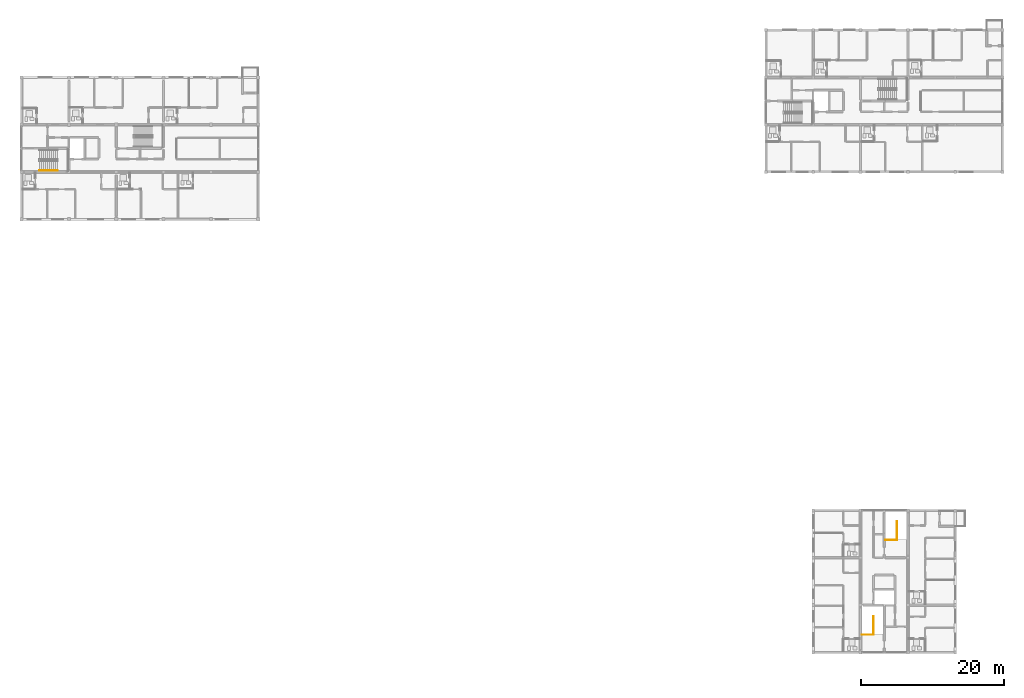
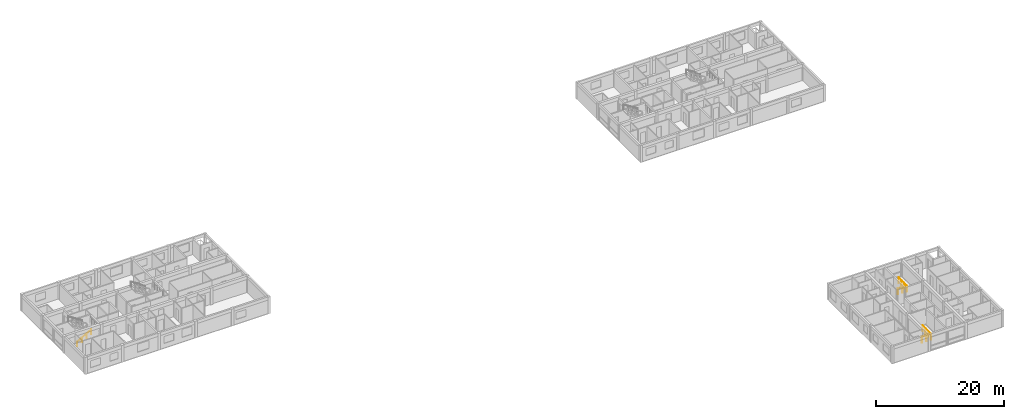
# One storey, part 30 of 34: 3 railings.
"""IFC4 building model written with IfcOpenShell, lengths in metres."""

from ifc_helpers import new_model, si_unit, direction, frame, origin, origin_2d, place, context, subcontext, project, spatial, circle, extrude, material, type_object, element, save


model = new_model("IFC4")

# Units and contexts
model_context = context("Model", 3, precision=1e-05, world=origin(), true_north=direction((0.0, 1.0)))
body_context = subcontext(model_context, "Body", "Model", "MODEL_VIEW")
ifc_project = project(units=[si_unit("LENGTHUNIT", "METRE"), si_unit("AREAUNIT", "SQUARE_METRE"), si_unit("VOLUMEUNIT", "CUBIC_METRE"), si_unit("PLANEANGLEUNIT", "RADIAN"), si_unit("MASSUNIT", "GRAM", prefix="KILO")], contexts=[model_context])

# Site, building, storey
site_placement = place(None, origin())
site = spatial("IfcSite", under=ifc_project, at=site_placement, CompositionType="ELEMENT")
building_placement = place(site_placement, origin())
building = spatial("IfcBuilding", under=site, at=building_placement, Name="Kernevlak Ridge Housing Community", CompositionType="ELEMENT")
storey_placement = place(building_placement, frame((0.0, 0.0, 40.39990234375)))
storey = spatial("IfcBuildingStorey", under=building, at=storey_placement, Name="L12", CompositionType="ELEMENT", Elevation=40.39990234375)

# Railings
ifc_material_1 = material(Name="Steel S355", Category="steel")
railing_type_1 = type_object("IfcRailingType", Name="GR-02", PredefinedType="GUARDRAIL", material=ifc_material_1)
railing_1_placement = place(storey_placement, frame((132.780029296875, 18.080078125, 0.0)))
element("IfcRailing", 1, at=railing_1_placement, inside=storey, type_object=railing_type_1, Name="Stair ST-C1 L12 top well guardrail", PredefinedType="GUARDRAIL", context=body_context, shape_type="SweptSolid", body=[
    extrude(circle(Radius=0.02392578125, at=origin_2d()), frame((0.0, 0.0, 1.09619140625), z_axis=(1.0, 0.0, 0.0), x_axis=(0.0, 1.0, 0.0)), (0.0, 0.0, 1.0), 1.60986328125),
    extrude(circle(Radius=0.02392578125, at=origin_2d()), frame((1.60986328125, 0.0, 1.09619140625), z_axis=(0.0, 1.0, 0.0), x_axis=(-1.0, 0.0, 0.0)), (0.0, 0.0, 1.0), 2.56982421875),
    extrude(circle(Radius=0.02099609375, at=origin_2d()), origin(), (0.0, 0.0, 1.0), 1.072021484375),
    extrude(circle(Radius=0.02099609375, at=origin_2d()), frame((0.804931640625, 0.0, 0.0)), (0.0, 0.0, 1.0), 1.072021484375),
    extrude(circle(Radius=0.02099609375, at=origin_2d()), frame((1.60986328125, 0.0, 0.0)), (0.0, 0.0, 1.0), 1.072021484375),
    extrude(circle(Radius=0.02099609375, at=origin_2d()), frame((1.60986328125, 0.856689453125, 0.0)), (0.0, 0.0, 1.0), 1.072021484375),
    extrude(circle(Radius=0.02099609375, at=origin_2d()), frame((1.60986328125, 1.713134765625, 0.0)), (0.0, 0.0, 1.0), 1.072021484375),
    extrude(circle(Radius=0.02099609375, at=origin_2d()), frame((1.60986328125, 2.56982421875, 0.0)), (0.0, 0.0, 1.0), 1.072021484375),
])
railing_2_placement = place(storey_placement, frame((136.080078125, 31.280029296875, 0.0)))
element("IfcRailing", 2, at=railing_2_placement, inside=storey, type_object=railing_type_1, Name="Stair ST-C2 L12 top well guardrail", PredefinedType="GUARDRAIL", context=body_context, shape_type="SweptSolid", body=[
    extrude(circle(Radius=0.02392578125, at=origin_2d()), frame((0.0, 0.0, 1.09619140625), z_axis=(1.0, 0.0, 0.0), x_axis=(0.0, 1.0, 0.0)), (0.0, 0.0, 1.0), 1.60986328125),
    extrude(circle(Radius=0.02392578125, at=origin_2d()), frame((1.60986328125, 0.0, 1.09619140625), z_axis=(0.0, 1.0, 0.0), x_axis=(-1.0, 0.0, 0.0)), (0.0, 0.0, 1.0), 2.570068359375),
    extrude(circle(Radius=0.02099609375, at=origin_2d()), origin(), (0.0, 0.0, 1.0), 1.072021484375),
    extrude(circle(Radius=0.02099609375, at=origin_2d()), frame((0.804931640625, 0.0, 0.0)), (0.0, 0.0, 1.0), 1.072021484375),
    extrude(circle(Radius=0.02099609375, at=origin_2d()), frame((1.60986328125, 0.0, 0.0)), (0.0, 0.0, 1.0), 1.072021484375),
    extrude(circle(Radius=0.02099609375, at=origin_2d()), frame((1.60986328125, 0.856689453125, 0.0)), (0.0, 0.0, 1.0), 1.072021484375),
    extrude(circle(Radius=0.02099609375, at=origin_2d()), frame((1.60986328125, 1.71337890625, 0.0)), (0.0, 0.0, 1.0), 1.072021484375),
    extrude(circle(Radius=0.02099609375, at=origin_2d()), frame((1.60986328125, 2.570068359375, 0.0)), (0.0, 0.0, 1.0), 1.072021484375),
])
ifc_material_2 = material(Name="Stainless steel EN 1.4401", Category="steel")
railing_type_2 = type_object("IfcRailingType", Name="HR-01", PredefinedType="HANDRAIL", material=ifc_material_2)
railing_3_placement = place(storey_placement, frame((18.080078125, 82.820068359375, 0.16015625)))
element("IfcRailing", 3, at=railing_3_placement, inside=storey, type_object=railing_type_2, Name="Stair ST-A1 L12 flight 1 handrail", PredefinedType="HANDRAIL", context=body_context, shape_type="SweptSolid", body=[
    extrude(circle(Radius=0.02392578125, at=origin_2d()), frame((0.0, 0.0, 0.89599609375), z_axis=(0.868253494771, 0.0, 0.496120820787), x_axis=(0.0, 1.0, 0.0)), (0.0, 0.0, 1.0), 2.90234375),
    extrude(circle(Radius=0.02099609375, at=origin_2d()), origin(), (0.0, 0.0, 1.0), 0.871826171875),
    extrude(circle(Radius=0.02099609375, at=origin_2d()), frame((0.840087890625, 0.0, 0.47998046875)), (0.0, 0.0, 1.0), 0.871826171875),
    extrude(circle(Radius=0.02099609375, at=origin_2d()), frame((1.679931640625, 0.0, 0.9599609375)), (0.0, 0.0, 1.0), 0.871826171875),
    extrude(circle(Radius=0.02099609375, at=origin_2d()), frame((2.52001953125, 0.0, 1.43994140625)), (0.0, 0.0, 1.0), 0.871826171875),
])

save(model, "model.ifc")
